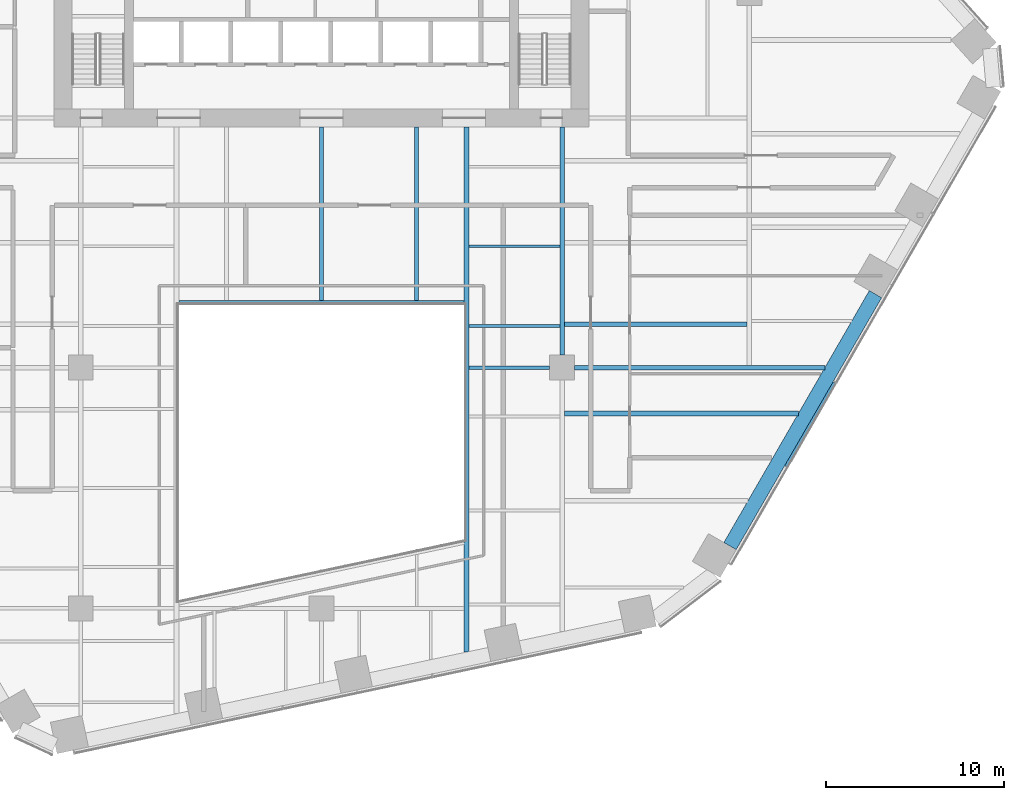
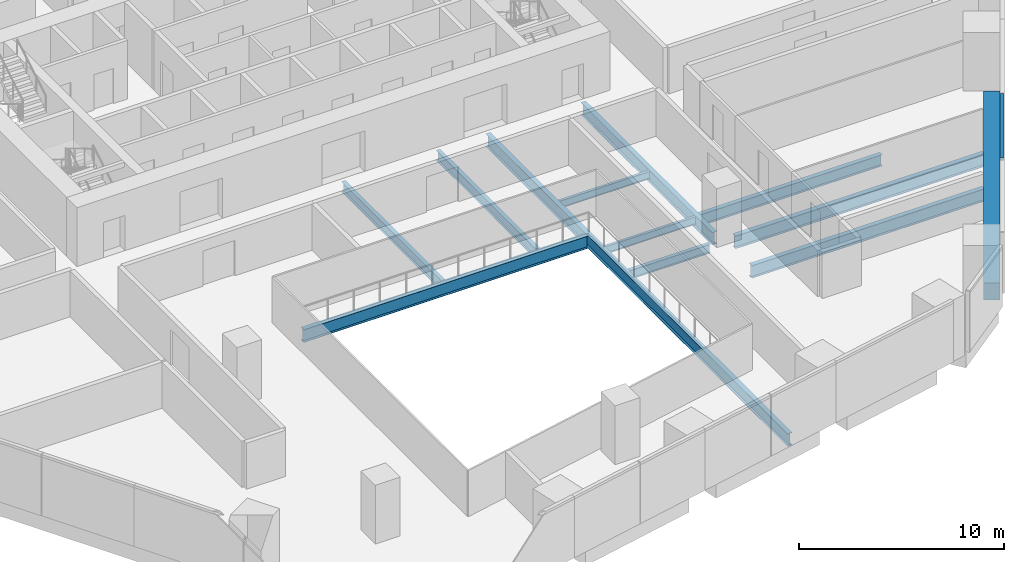
# One storey, part 6 of 20: 12 beams, 1 member, 1 element without a shape of its own.
"""IFC4 building model written with IfcOpenShell, lengths in metres."""

from ifc_helpers import new_model, si_unit, direction, frame, origin, origin_2d, place, context, subcontext, project, spatial, rectangle, i_section, extrude, material, layer, layer_set, material_profile, profile_set, type_object, element, aggregate, save


model = new_model("IFC4")

# Units and contexts
model_context = context("Model", 3, precision=1e-05, world=origin(), true_north=direction((0.0, 1.0)))
body_context = subcontext(model_context, "Body", "Model", "MODEL_VIEW")
ifc_project = project(units=[si_unit("LENGTHUNIT", "METRE"), si_unit("AREAUNIT", "SQUARE_METRE"), si_unit("VOLUMEUNIT", "CUBIC_METRE"), si_unit("PLANEANGLEUNIT", "RADIAN"), si_unit("MASSUNIT", "GRAM", prefix="KILO")], contexts=[model_context])

# Site, building, storey
site_placement = place(None, origin())
site = spatial("IfcSite", under=ifc_project, at=site_placement, CompositionType="ELEMENT")
building_placement = place(site_placement, origin())
building = spatial("IfcBuilding", under=site, at=building_placement, Name="Isthmus Gate Tower", CompositionType="ELEMENT")
storey_placement = place(building_placement, frame((0.0, 0.0, 65.199951171875)))
storey = spatial("IfcBuildingStorey", under=building, at=storey_placement, Name="L14", CompositionType="ELEMENT", Elevation=65.199951171875)

# Curtain wall, member
ifc_material_1 = material(Name="Aluminium, pale champagne anodised", Category="aluminium")
ifc_layer = layer(ifc_material_1, 0.199951171875)
ifc_layer_set = layer_set([ifc_layer], Name="CW-1 UNITISED CURTAIN WALL 200 DEEP")
curtain_wall_type = type_object("IfcCurtainWallType", Name="CW-1 UNITISED CURTAIN WALL 200 DEEP", PredefinedType="NOTDEFINED", material=ifc_layer_set)
curtain_wall_placement = place(storey_placement, origin())
curtain_wall = element("IfcCurtainWall", 1, at=curtain_wall_placement, inside=storey, type_object=curtain_wall_type, Name="CW-1 SE L14", PredefinedType="NOTDEFINED")
ifc_material_2 = material(Name="Aluminium, pale champagne anodised", Category="aluminium")
ifc_material_profile_1 = material_profile(ifc_material_2, rectangle(XDim=0.199951171875, YDim=0.14990234375, at=origin_2d()), Name="200x150")
ifc_profile_set_1 = profile_set([ifc_material_profile_1], Name="Aluminium, pale champagne anodised")
member_type = type_object("IfcMemberType", Name="CW-1 TRANSOM 200 X 150", PredefinedType="USERDEFINED", material=ifc_profile_set_1)
member_placement = place(storey_placement, frame((26.06787109375, -19.04931640625, 3.574951171875), z_axis=(0.499991872758, 0.866030095999, 0.0), x_axis=(-0.866030095999, 0.499991872758, 0.0)))
member = element("IfcMember", 2, at=member_placement, type_object=member_type, Name="CW-1 transom", ObjectType="TRANSOM", PredefinedType="USERDEFINED", context=body_context, shape_type="SweptSolid", body=[
    extrude(rectangle(XDim=0.199951171875, YDim=0.14990234375, at=origin_2d()), origin(), (0.0, 0.0, 1.0), 5.4384765625),
])
aggregate(curtain_wall, [member])

# Beams
ifc_material_3 = material(Name="Concrete f'c 70 MPa", Category="concrete")
ifc_material_profile_2 = material_profile(ifc_material_3, rectangle(XDim=0.800048828125, YDim=1.0, at=origin_2d()), Name="RC 800X1000")
ifc_profile_set_2 = profile_set([ifc_material_profile_2], Name="Concrete f'c 70 MPa")
beam_type_1 = type_object("IfcBeamType", Name="RC SPANDREL 800 X 1000", PredefinedType="SPANDREL", material=ifc_profile_set_2)
beam_1_placement = place(storey_placement, frame((31.0732421875, -9.37939453125, -0.5), z_axis=(-0.499991872758, -0.866030095999, 0.0), x_axis=(0.866030095999, -0.499991872758, 0.0)))
element("IfcBeam", 3, at=beam_1_placement, inside=storey, type_object=beam_type_1, Name="str-spandrel-L14-08", PredefinedType="SPANDREL", context=body_context, shape_type="SweptSolid", body=[
    extrude(rectangle(XDim=0.800048828125, YDim=1.0, at=origin_2d()), origin(), (0.0, 0.0, 1.0), 16.315673828125),
])
ifc_material_4 = material(Name="Structural steel ASTM A992 Gr 50", Category="steel")
ifc_material_profile_3 = material_profile(ifc_material_4, i_section(OverallWidth=0.15234375, OverallDepth=0.45068359375, WebThickness=0.0078125, FlangeThickness=0.010986328125, at=origin_2d()), Name="W18X35")
ifc_profile_set_3 = profile_set([ifc_material_profile_3], Name="Structural steel ASTM A992 Gr 50")
beam_type_2 = type_object("IfcBeamType", Name="STEEL FLOOR BEAM W18X35", PredefinedType="JOIST", material=ifc_profile_set_3)
for number, where, z_axis, x_axis, name in (
    (4, (8.263427734375, -11.16259765625, -0.375244140625), (1.0, 0.0, 0.0), (0.0, 1.0, 0.0), "str-beam-L14-23-00"),
    (5, (8.263427734375, -6.697509765625, -0.375244140625), (1.0, 0.0, 0.0), (0.0, 1.0, 0.0), "str-beam-L14-23-01"),
):
    element("IfcBeam", number, at=place(storey_placement, frame(where, z_axis=z_axis, x_axis=x_axis)), inside=storey, type_object=beam_type_2, Name=name, PredefinedType="JOIST", context=body_context, shape_type="SweptSolid", body=[
        extrude(i_section(OverallWidth=0.15234375, OverallDepth=0.45068359375, WebThickness=0.0078125, FlangeThickness=0.010986328125, at=origin_2d()), origin(), (0.0, 0.0, 1.0), 5.104736328125),
    ])
ifc_material_5 = material(Name="Structural steel ASTM A992 Gr 50", Category="steel")
ifc_material_profile_4 = material_profile(ifc_material_5, i_section(OverallWidth=0.228515625, OverallDepth=0.603271484375, WebThickness=0.010986328125, FlangeThickness=0.014404296875, at=origin_2d()), Name="W24X68")
ifc_profile_set_4 = profile_set([ifc_material_profile_4], Name="Structural steel ASTM A992 Gr 50")
beam_type_3 = type_object("IfcBeamType", Name="STEEL FLOOR BEAM W24X68", PredefinedType="JOIST", material=ifc_profile_set_4)
for number, where, z_axis, x_axis, name in (
    (6, (0.0, -9.7333984375, -0.45166015625), (0.0, 1.0, 0.0), (-1.0, 0.0, 0.0), "str-beam-L14-16-01"),
    (7, (5.333251953125, -9.7333984375, -0.45166015625), (0.0, 1.0, 0.0), (-1.0, 0.0, 0.0), "str-beam-L14-16-02"),
):
    element("IfcBeam", number, at=place(storey_placement, frame(where, z_axis=z_axis, x_axis=x_axis)), inside=storey, type_object=beam_type_3, Name=name, PredefinedType="JOIST", context=body_context, shape_type="SweptSolid", body=[
        extrude(i_section(OverallWidth=0.228515625, OverallDepth=0.603271484375, WebThickness=0.010986328125, FlangeThickness=0.014404296875, at=origin_2d()), origin(), (0.0, 0.0, 1.0), 9.7333984375),
    ])
ifc_material_6 = material(Name="Structural steel ASTM A992 Gr 50", Category="steel")
ifc_material_profile_5 = material_profile(ifc_material_6, i_section(OverallWidth=0.25390625, OverallDepth=0.679443359375, WebThickness=0.010986328125, FlangeThickness=0.015869140625, at=origin_2d()), Name="W27X84")
ifc_profile_set_5 = profile_set([ifc_material_profile_5], Name="Structural steel ASTM A992 Gr 50")
beam_type_4 = type_object("IfcBeamType", Name="STEEL FLOOR BEAM W27X84", PredefinedType="JOIST", material=ifc_profile_set_5)
beam_2_placement = place(storey_placement, frame((13.6318359375, -11.07470703125, -0.48974609375), z_axis=(1.0, 0.0, 0.0), x_axis=(0.0, 1.0, 0.0)))
element("IfcBeam", 8, at=beam_2_placement, inside=storey, type_object=beam_type_4, Name="str-beam-L14-27-00", PredefinedType="JOIST", context=body_context, shape_type="SweptSolid", body=[
    extrude(i_section(OverallWidth=0.25390625, OverallDepth=0.679443359375, WebThickness=0.010986328125, FlangeThickness=0.015869140625, at=origin_2d()), origin(), (0.0, 0.0, 1.0), 10.23486328125),
])
ifc_material_7 = material(Name="Structural steel ASTM A992 Gr 50", Category="steel")
ifc_material_profile_6 = material_profile(ifc_material_7, i_section(OverallWidth=0.263427734375, OverallDepth=0.749267578125, WebThickness=0.0126953125, FlangeThickness=0.015869140625, at=origin_2d()), Name="W30X90")
ifc_profile_set_6 = profile_set([ifc_material_profile_6], Name="Structural steel ASTM A992 Gr 50")
beam_type_5 = type_object("IfcBeamType", Name="STEEL FLOOR BEAM W30X90", PredefinedType="JOIST", material=ifc_profile_set_6)
beam_3_placement = place(storey_placement, frame((13.63330078125, -16.0751953125, -0.524658203125), z_axis=(1.0, 0.0, 0.0), x_axis=(0.0, 1.0, 0.0)))
element("IfcBeam", 9, at=beam_3_placement, inside=storey, type_object=beam_type_5, Name="str-beam-L14-28-02", PredefinedType="JOIST", context=body_context, shape_type="SweptSolid", body=[
    extrude(i_section(OverallWidth=0.263427734375, OverallDepth=0.749267578125, WebThickness=0.0126953125, FlangeThickness=0.015869140625, at=origin_2d()), origin(), (0.0, 0.0, 1.0), 13.1123046875),
])
ifc_material_8 = material(Name="Structural steel ASTM A992 Gr 50", Category="steel")
ifc_material_profile_7 = material_profile(ifc_material_8, i_section(OverallWidth=0.20947265625, OverallDepth=0.533447265625, WebThickness=0.009521484375, FlangeThickness=0.015869140625, at=origin_2d()), Name="W21X62")
ifc_profile_set_7 = profile_set([ifc_material_profile_7], Name="Structural steel ASTM A992 Gr 50")
beam_type_6 = type_object("IfcBeamType", Name="STEEL GIRDER W21X62", PredefinedType="BEAM", material=ifc_profile_set_7)
beam_4_placement = place(storey_placement, frame((8.263427734375, -13.5, -0.416748046875), z_axis=(1.0, 0.0, 0.0), x_axis=(0.0, 1.0, 0.0)))
element("IfcBeam", 10, at=beam_4_placement, inside=storey, type_object=beam_type_6, Name="str-girder-L14-07", PredefinedType="BEAM", context=body_context, shape_type="SweptSolid", body=[
    extrude(i_section(OverallWidth=0.20947265625, OverallDepth=0.533447265625, WebThickness=0.009521484375, FlangeThickness=0.015869140625, at=origin_2d()), origin(), (0.0, 0.0, 1.0), 4.53662109375),
])
ifc_material_9 = material(Name="Structural steel ASTM A992 Gr 50", Category="steel")
ifc_material_profile_8 = material_profile(ifc_material_9, i_section(OverallWidth=0.2666015625, OverallDepth=0.7587890625, WebThickness=0.014404296875, FlangeThickness=0.01904296875, at=origin_2d()), Name="W30X108")
ifc_profile_set_8 = profile_set([ifc_material_profile_8], Name="Structural steel ASTM A992 Gr 50")
beam_type_7 = type_object("IfcBeamType", Name="STEEL GIRDER W30X108", PredefinedType="BEAM", material=ifc_profile_set_8)
beam_5_placement = place(storey_placement, frame((14.199951171875, -13.5, -0.529296875), z_axis=(1.0, 0.0, 0.0), x_axis=(0.0, 1.0, 0.0)))
element("IfcBeam", 11, at=beam_5_placement, inside=storey, type_object=beam_type_7, Name="str-girder-L14-08", PredefinedType="BEAM", context=body_context, shape_type="SweptSolid", body=[
    extrude(i_section(OverallWidth=0.2666015625, OverallDepth=0.7587890625, WebThickness=0.014404296875, FlangeThickness=0.01904296875, at=origin_2d()), origin(), (0.0, 0.0, 1.0), 14.032470703125),
])
ifc_material_10 = material(Name="Structural steel ASTM A992 Gr 50", Category="steel")
ifc_material_profile_9 = material_profile(ifc_material_10, i_section(OverallWidth=0.263427734375, OverallDepth=0.749267578125, WebThickness=0.0126953125, FlangeThickness=0.015869140625, at=origin_2d()), Name="W30X90")
ifc_profile_set_9 = profile_set([ifc_material_profile_9], Name="Structural steel ASTM A992 Gr 50")
beam_type_8 = type_object("IfcBeamType", Name="STEEL GIRDER W30X90", PredefinedType="BEAM", material=ifc_profile_set_9)
beam_6_placement = place(storey_placement, frame((13.5, -12.800048828125, -0.524658203125), z_axis=(0.0, 1.0, 0.0), x_axis=(-1.0, 0.0, 0.0)))
element("IfcBeam", 12, at=beam_6_placement, inside=storey, type_object=beam_type_8, Name="str-girder-L14-32", PredefinedType="BEAM", context=body_context, shape_type="SweptSolid", body=[
    extrude(i_section(OverallWidth=0.263427734375, OverallDepth=0.749267578125, WebThickness=0.0126953125, FlangeThickness=0.015869140625, at=origin_2d()), origin(), (0.0, 0.0, 1.0), 12.800048828125),
])
ifc_material_11 = material(Name="Structural steel ASTM A992 Gr 50", Category="steel")
ifc_material_profile_10 = material_profile(ifc_material_11, i_section(OverallWidth=0.2666015625, OverallDepth=0.7587890625, WebThickness=0.014404296875, FlangeThickness=0.01904296875, at=origin_2d()), Name="W30X108")
ifc_profile_set_10 = profile_set([ifc_material_profile_10], Name="Structural steel ASTM A992 Gr 50")
beam_type_9 = type_object("IfcBeamType", Name="STEEL TRIMMER W30X108", PredefinedType="BEAM", material=ifc_profile_set_10)
beam_7_placement = place(storey_placement, frame((8.0, -9.86669921875, -0.529296875), z_axis=(-1.0, 0.0, 0.0), x_axis=(0.0, -1.0, 0.0)))
element("IfcBeam", 13, at=beam_7_placement, inside=storey, type_object=beam_type_9, Name="str-trimmer-L14-04", PredefinedType="BEAM", context=body_context, shape_type="SweptSolid", body=[
    extrude(i_section(OverallWidth=0.2666015625, OverallDepth=0.7587890625, WebThickness=0.014404296875, FlangeThickness=0.01904296875, at=origin_2d()), origin(), (0.0, 0.0, 1.0), 16.0),
])
ifc_material_12 = material(Name="Structural steel ASTM A992 Gr 50", Category="steel")
ifc_material_profile_11 = material_profile(ifc_material_12, i_section(OverallWidth=0.263427734375, OverallDepth=0.749267578125, WebThickness=0.0126953125, FlangeThickness=0.015869140625, at=origin_2d()), Name="W30X90")
ifc_profile_set_11 = profile_set([ifc_material_profile_11], Name="Structural steel ASTM A992 Gr 50")
beam_type_10 = type_object("IfcBeamType", Name="STEEL TRIMMER W30X90", PredefinedType="BEAM", material=ifc_profile_set_11)
beam_8_placement = place(storey_placement, frame((8.1318359375, -29.45361328125, -0.524658203125), z_axis=(0.0, 1.0, 0.0), x_axis=(-1.0, 0.0, 0.0)))
element("IfcBeam", 14, at=beam_8_placement, inside=storey, type_object=beam_type_10, Name="str-trimmer-L14-01", PredefinedType="BEAM", context=body_context, shape_type="SweptSolid", body=[
    extrude(i_section(OverallWidth=0.263427734375, OverallDepth=0.749267578125, WebThickness=0.0126953125, FlangeThickness=0.015869140625, at=origin_2d()), origin(), (0.0, 0.0, 1.0), 29.45361328125),
])

save(model, "model.ifc")
